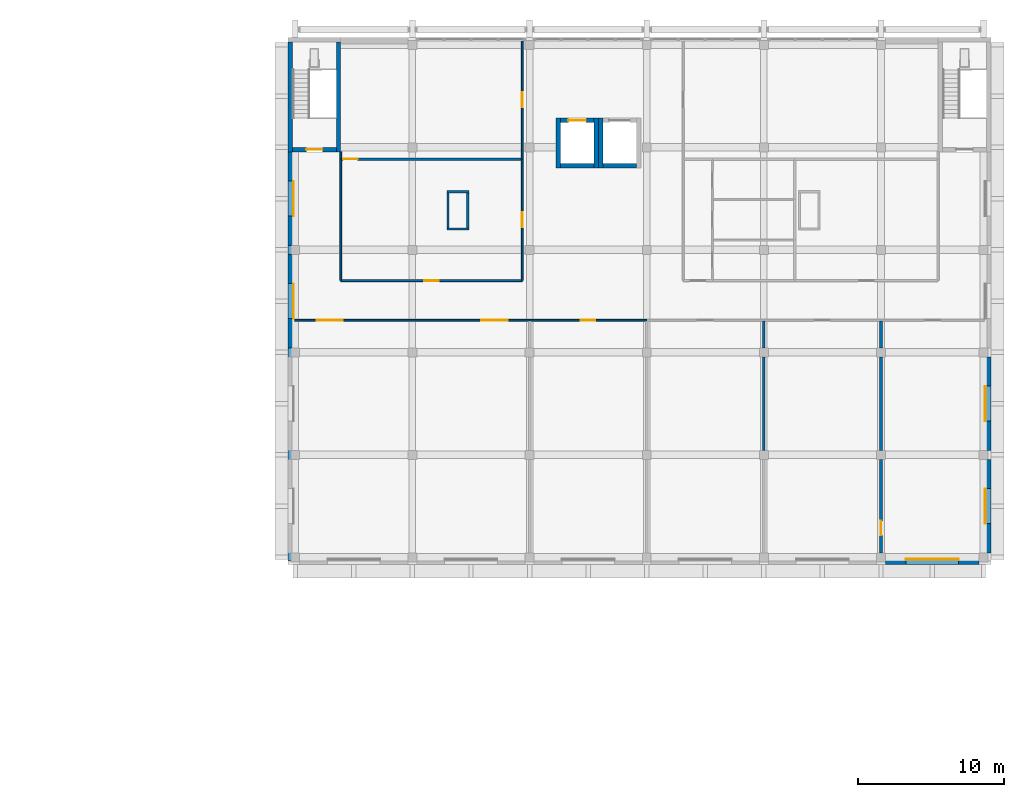
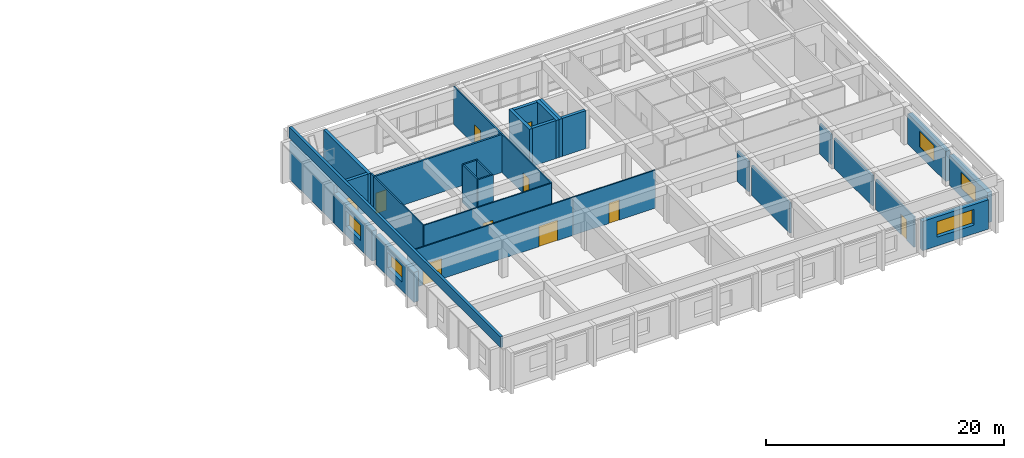
# One storey, part 17 of 21: 32 walls, 10 doors, 5 windows, 15 openings.
"""IFC4 building model written with IfcOpenShell, lengths in metres."""

from ifc_helpers import new_model, si_unit, direction, frame, frame_2d, origin, place, context, subcontext, project, spatial, rectangle, extrude, material, layer, layer_set, type_object, element, fill, save


model = new_model("IFC4")

# Units and contexts
model_context = context("Model", 3, precision=1e-05, world=origin(), true_north=direction((0.0, 1.0)))
body_context = subcontext(model_context, "Body", "Model", "MODEL_VIEW")
ifc_project = project(units=[si_unit("LENGTHUNIT", "METRE"), si_unit("AREAUNIT", "SQUARE_METRE"), si_unit("VOLUMEUNIT", "CUBIC_METRE"), si_unit("PLANEANGLEUNIT", "RADIAN"), si_unit("MASSUNIT", "GRAM", prefix="KILO")], contexts=[model_context])

# Site, building, storey
site_placement = place(None, origin())
site = spatial("IfcSite", under=ifc_project, at=site_placement, CompositionType="ELEMENT")
building_placement = place(site_placement, origin())
building = spatial("IfcBuilding", under=site, at=building_placement, Name="Elmora Arch Market Hall", CompositionType="ELEMENT")
storey_placement = place(building_placement, frame((0.0, 0.0, 14.39990234375)))
storey = spatial("IfcBuildingStorey", under=building, at=storey_placement, Name="L03", CompositionType="ELEMENT", Elevation=14.39990234375)

# Walls
ifc_material_1 = material(Name="Blockwork", Category="masonry")
ifc_layer_1 = layer(ifc_material_1, 0.14990234375)
ifc_layer_set_1 = layer_set([ifc_layer_1], Name="Blockwork")
wall_type_1 = type_object("IfcWallType", Name="Blockwork partition 150 EI 120", PredefinedType="PARTITIONING", material=ifc_layer_set_1)
wall_1_placement = place(storey_placement, frame((96.85009765625, 152.925048828125, 0.0), z_axis=(0.0, 0.0, 1.0), x_axis=(1.0, 0.0, 0.0)))
element("IfcWall", 1, at=wall_1_placement, inside=storey, type_object=wall_type_1, Name="Riser wall L03 01", PredefinedType="PARTITIONING", context=body_context, shape_type="SweptSolid", body=[
    extrude(rectangle(XDim=1.5, YDim=0.14990234375, at=frame_2d((0.75, 0.0))), origin(), (0.0, 0.0, 1.0), 3.900146484375),
])
wall_2_placement = place(storey_placement, frame((96.925048828125, 153.0, 0.0), z_axis=(0.0, 0.0, 1.0), x_axis=(0.0, 1.0, 0.0)))
element("IfcWall", 2, at=wall_2_placement, inside=storey, type_object=wall_type_1, Name="Riser wall L03 02", PredefinedType="PARTITIONING", context=body_context, shape_type="SweptSolid", body=[
    extrude(rectangle(XDim=2.39990234375, YDim=0.14990234375, at=frame_2d((1.199951171875, 0.0))), origin(), (0.0, 0.0, 1.0), 3.900146484375),
])
wall_3_placement = place(storey_placement, frame((96.85009765625, 155.47509765625, 0.0), z_axis=(0.0, 0.0, 1.0), x_axis=(1.0, 0.0, 0.0)))
element("IfcWall", 3, at=wall_3_placement, inside=storey, type_object=wall_type_1, Name="Riser wall L03 03", PredefinedType="PARTITIONING", context=body_context, shape_type="SweptSolid", body=[
    extrude(rectangle(XDim=1.5, YDim=0.14990234375, at=frame_2d((0.75, 0.0))), origin(), (0.0, 0.0, 1.0), 3.900146484375),
])
wall_4_placement = place(storey_placement, frame((98.27490234375, 153.0, 0.0), z_axis=(0.0, 0.0, 1.0), x_axis=(0.0, 1.0, 0.0)))
element("IfcWall", 4, at=wall_4_placement, inside=storey, type_object=wall_type_1, Name="Riser wall L03 04", PredefinedType="PARTITIONING", context=body_context, shape_type="SweptSolid", body=[
    extrude(rectangle(XDim=2.39990234375, YDim=0.14990234375, at=frame_2d((1.199951171875, 0.0))), origin(), (0.0, 0.0, 1.0), 3.900146484375),
])
ifc_material_2 = material(Name="Concrete C40/50", Category="concrete")
ifc_layer_2 = layer(ifc_material_2, 0.300048828125)
ifc_layer_set_2 = layer_set([ifc_layer_2], Name="Concrete C40/50")
wall_type_2 = type_object("IfcWallType", Name="Board-marked concrete wall 300", PredefinedType="SOLIDWALL", material=ifc_layer_set_2)
wall_5_placement = place(storey_placement, frame((86.14990234375, 158.199951171875, 0.0), z_axis=(0.0, 0.0, 1.0), x_axis=(0.0, 1.0, 0.0)))
element("IfcWall", 5, at=wall_5_placement, inside=storey, type_object=wall_type_2, Name="School stair wall W L03 1", PredefinedType="SOLIDWALL", context=body_context, shape_type="SweptSolid", body=[
    extrude(rectangle(XDim=7.5, YDim=0.300048828125, at=frame_2d((3.75, 0.0))), origin(), (0.0, 0.0, 1.0), 3.900146484375),
])

# Wall, opening, window
ifc_material_3 = material(Name="Concrete C40/50", Category="concrete")
ifc_layer_3 = layer(ifc_material_3, 0.449951171875)
ifc_layer_set_3 = layer_set([ifc_layer_3], Name="Concrete C40/50")
wall_type_3 = type_object("IfcWallType", Name="Board-marked concrete wall 450", PredefinedType="SOLIDWALL", material=ifc_layer_set_3)
wall_6_placement = place(storey_placement, frame((133.199951171875, 130.22509765625, 0.0), z_axis=(0.0, 0.0, 1.0), x_axis=(-1.0, 0.0, 0.0)))
wall_6 = element("IfcWall", 6, at=wall_6_placement, inside=storey, type_object=wall_type_3, Name="School facade wall S L03 6", PredefinedType="SOLIDWALL", context=body_context, shape_type="SweptSolid", body=[
    extrude(rectangle(XDim=6.39990234375, YDim=0.449951171875, at=frame_2d((3.199951171875, 0.0))), origin(), (0.0, 0.0, 1.0), 3.0),
])
opening_1_placement = place(wall_6_placement, frame((1.39990234375, 0.0, 0.89990234375)))
opening_1 = element("IfcOpeningElement", 7, at=opening_1_placement, cuts=wall_6, Name="Opening WB1", PredefinedType="OPENING", context=body_context, shape_type="SweptSolid", body=[
    extrude(rectangle(XDim=3.60009765625, YDim=1.60009765625, at=frame_2d((1.800048828125, 0.800048828125))), frame((0.0, 0.23486328125, 0.0), z_axis=(0.0, -1.0, 0.0), x_axis=(1.0, 0.0, 0.0)), (0.0, 0.0, 1.0), 0.469970703125),
])
ifc_material_4 = material(Name="Aluminium", Category="aluminium")
window_type_1 = type_object("IfcWindowType", Name="School band window 3600x1600", PartitioningType="SINGLE_PANEL", PredefinedType="WINDOW", material=ifc_material_4)
window_1_placement = place(opening_1_placement, origin())
window_1 = element("IfcWindow", 8, at=window_1_placement, inside=storey, type_object=window_type_1, Name="Window WB1 L03 S120", OverallHeight=1.60009765625, OverallWidth=3.60009765625, PartitioningType="SINGLE_PANEL", PredefinedType="WINDOW", context=body_context, shape_type="SweptSolid", body=[
    extrude(rectangle(XDim=3.60009765625, YDim=1.60009765625, at=frame_2d((1.800048828125, 0.800048828125))), frame((0.0, -0.125, 0.0), z_axis=(0.0, -1.0, 0.0), x_axis=(1.0, 0.0, 0.0)), (0.0, 0.0, 1.0), 0.06005859375),
])
fill(opening_1, window_1)

wall_7_placement = place(storey_placement, frame((86.22509765625, 144.800048828125, 0.0), z_axis=(0.0, 0.0, 1.0), x_axis=(0.0, 1.0, 0.0)))
wall_7 = element("IfcWall", 9, at=wall_7_placement, inside=storey, type_object=wall_type_3, Name="School facade wall W L03 4", PredefinedType="SOLIDWALL", context=body_context, shape_type="SweptSolid", body=[
    extrude(rectangle(XDim=6.39990234375, YDim=0.449951171875, at=frame_2d((3.199951171875, 0.0))), origin(), (0.0, 0.0, 1.0), 3.10009765625),
])
opening_2_placement = place(wall_7_placement, frame((2.0, 0.0, 0.89990234375)))
opening_2 = element("IfcOpeningElement", 10, at=opening_2_placement, cuts=wall_7, Name="Opening WB2", PredefinedType="OPENING", context=body_context, shape_type="SweptSolid", body=[
    extrude(rectangle(XDim=2.39990234375, YDim=1.60009765625, at=frame_2d((1.199951171875, 0.800048828125))), frame((0.0, 0.23486328125, 0.0), z_axis=(0.0, -1.0, 0.0), x_axis=(1.0, 0.0, 0.0)), (0.0, 0.0, 1.0), 0.469970703125),
])
ifc_material_5 = material(Name="Aluminium", Category="aluminium")
window_type_2 = type_object("IfcWindowType", Name="School end band window 2400x1600", PartitioningType="SINGLE_PANEL", PredefinedType="WINDOW", material=ifc_material_5)
window_2_placement = place(opening_2_placement, origin())
window_2 = element("IfcWindow", 11, at=window_2_placement, inside=storey, type_object=window_type_2, Name="Window WB2 L03 W123", OverallHeight=1.60009765625, OverallWidth=2.39990234375, PartitioningType="SINGLE_PANEL", PredefinedType="WINDOW", context=body_context, shape_type="SweptSolid", body=[
    extrude(rectangle(XDim=2.39990234375, YDim=1.60009765625, at=frame_2d((1.199951171875, 0.800048828125))), frame((0.0, -0.125, 0.0), z_axis=(0.0, -1.0, 0.0), x_axis=(1.0, 0.0, 0.0)), (0.0, 0.0, 1.0), 0.06005859375),
])
fill(opening_2, window_2)

wall_8_placement = place(storey_placement, frame((86.22509765625, 151.800048828125, 0.0), z_axis=(0.0, 0.0, 1.0), x_axis=(0.0, 1.0, 0.0)))
wall_8 = element("IfcWall", 12, at=wall_8_placement, inside=storey, type_object=wall_type_3, Name="School facade wall W L03 5", PredefinedType="SOLIDWALL", context=body_context, shape_type="SweptSolid", body=[
    extrude(rectangle(XDim=6.39990234375, YDim=0.449951171875, at=frame_2d((3.199951171875, 0.0))), origin(), (0.0, 0.0, 1.0), 3.10009765625),
])
opening_3_placement = place(wall_8_placement, frame((2.0, 0.0, 0.89990234375)))
opening_3 = element("IfcOpeningElement", 13, at=opening_3_placement, cuts=wall_8, Name="Opening WB2", PredefinedType="OPENING", context=body_context, shape_type="SweptSolid", body=[
    extrude(rectangle(XDim=2.39990234375, YDim=1.60009765625, at=frame_2d((1.199951171875, 0.800048828125))), frame((0.0, 0.23486328125, 0.0), z_axis=(0.0, -1.0, 0.0), x_axis=(1.0, 0.0, 0.0)), (0.0, 0.0, 1.0), 0.469970703125),
])
window_3_placement = place(opening_3_placement, origin())
window_3 = element("IfcWindow", 14, at=window_3_placement, inside=storey, type_object=window_type_2, Name="Window WB2 L03 W124", OverallHeight=1.60009765625, OverallWidth=2.39990234375, PartitioningType="SINGLE_PANEL", PredefinedType="WINDOW", context=body_context, shape_type="SweptSolid", body=[
    extrude(rectangle(XDim=2.39990234375, YDim=1.60009765625, at=frame_2d((1.199951171875, 0.800048828125))), frame((0.0, -0.125, 0.0), z_axis=(0.0, -1.0, 0.0), x_axis=(1.0, 0.0, 0.0)), (0.0, 0.0, 1.0), 0.06005859375),
])
fill(opening_3, window_3)

wall_9_placement = place(storey_placement, frame((133.77490234375, 137.199951171875, 0.0), z_axis=(0.0, 0.0, 1.0), x_axis=(0.0, -1.0, 0.0)))
wall_9 = element("IfcWall", 15, at=wall_9_placement, inside=storey, type_object=wall_type_3, Name="School facade wall E L03 2", PredefinedType="SOLIDWALL", context=body_context, shape_type="SweptSolid", body=[
    extrude(rectangle(XDim=6.39990234375, YDim=0.449951171875, at=frame_2d((3.199951171875, 0.0))), origin(), (0.0, 0.0, 1.0), 3.10009765625),
])
opening_4_placement = place(wall_9_placement, frame((2.0, 0.0, 0.89990234375)))
opening_4 = element("IfcOpeningElement", 16, at=opening_4_placement, cuts=wall_9, Name="Opening WB2", PredefinedType="OPENING", context=body_context, shape_type="SweptSolid", body=[
    extrude(rectangle(XDim=2.39990234375, YDim=1.60009765625, at=frame_2d((1.199951171875, 0.800048828125))), frame((0.0, 0.23486328125, 0.0), z_axis=(0.0, -1.0, 0.0), x_axis=(1.0, 0.0, 0.0)), (0.0, 0.0, 1.0), 0.469970703125),
])
window_4_placement = place(opening_4_placement, origin())
window_4 = element("IfcWindow", 17, at=window_4_placement, inside=storey, type_object=window_type_2, Name="Window WB2 L03 E125", OverallHeight=1.60009765625, OverallWidth=2.39990234375, PartitioningType="SINGLE_PANEL", PredefinedType="WINDOW", context=body_context, shape_type="SweptSolid", body=[
    extrude(rectangle(XDim=2.39990234375, YDim=1.60009765625, at=frame_2d((1.199951171875, 0.800048828125))), frame((0.0, -0.125, 0.0), z_axis=(0.0, -1.0, 0.0), x_axis=(1.0, 0.0, 0.0)), (0.0, 0.0, 1.0), 0.06005859375),
])
fill(opening_4, window_4)

wall_10_placement = place(storey_placement, frame((133.77490234375, 144.199951171875, 0.0), z_axis=(0.0, 0.0, 1.0), x_axis=(0.0, -1.0, 0.0)))
wall_10 = element("IfcWall", 18, at=wall_10_placement, inside=storey, type_object=wall_type_3, Name="School facade wall E L03 3", PredefinedType="SOLIDWALL", context=body_context, shape_type="SweptSolid", body=[
    extrude(rectangle(XDim=6.39990234375, YDim=0.449951171875, at=frame_2d((3.199951171875, 0.0))), origin(), (0.0, 0.0, 1.0), 3.10009765625),
])
opening_5_placement = place(wall_10_placement, frame((2.0, 0.0, 0.89990234375)))
opening_5 = element("IfcOpeningElement", 19, at=opening_5_placement, cuts=wall_10, Name="Opening WB2", PredefinedType="OPENING", context=body_context, shape_type="SweptSolid", body=[
    extrude(rectangle(XDim=2.39990234375, YDim=1.60009765625, at=frame_2d((1.199951171875, 0.800048828125))), frame((0.0, 0.23486328125, 0.0), z_axis=(0.0, -1.0, 0.0), x_axis=(1.0, 0.0, 0.0)), (0.0, 0.0, 1.0), 0.469970703125),
])
window_5_placement = place(opening_5_placement, origin())
window_5 = element("IfcWindow", 20, at=window_5_placement, inside=storey, type_object=window_type_2, Name="Window WB2 L03 E126", OverallHeight=1.60009765625, OverallWidth=2.39990234375, PartitioningType="SINGLE_PANEL", PredefinedType="WINDOW", context=body_context, shape_type="SweptSolid", body=[
    extrude(rectangle(XDim=2.39990234375, YDim=1.60009765625, at=frame_2d((1.199951171875, 0.800048828125))), frame((0.0, -0.125, 0.0), z_axis=(0.0, -1.0, 0.0), x_axis=(1.0, 0.0, 0.0)), (0.0, 0.0, 1.0), 0.06005859375),
])
fill(opening_5, window_5)

# Walls
ifc_material_6 = material(Name="Concrete C40/50", Category="concrete")
ifc_layer_4 = layer(ifc_material_6, 0.25)
ifc_layer_set_4 = layer_set([ifc_layer_4], Name="Concrete C40/50")
wall_type_4 = type_object("IfcWallType", Name="Concrete parapet 250", PredefinedType="PARAPET", material=ifc_layer_set_4)
wall_11_placement = place(storey_placement, frame((86.125, 130.25, 4.2001953125), z_axis=(0.0, 0.0, 1.0), x_axis=(0.0, 1.0, 0.0)))
element("IfcWall", 21, at=wall_11_placement, inside=storey, type_object=wall_type_4, Name="Planted roof parapet west school", PredefinedType="PARAPET", context=body_context, shape_type="SweptSolid", body=[
    extrude(rectangle(XDim=35.5, YDim=0.25, at=frame_2d((17.75, 0.0))), origin(), (0.0, 0.0, 1.0), 1.099853515625),
])
ifc_material_7 = material(Name="Concrete C40/50", Category="concrete")
ifc_layer_5 = layer(ifc_material_7, 0.300048828125)
ifc_layer_set_5 = layer_set([ifc_layer_5], Name="Concrete C40/50")
wall_type_5 = type_object("IfcWallType", Name="Lift shaft wall 300", PredefinedType="SHEAR", material=ifc_layer_set_5)
for number, where, z_axis, x_axis, name in (
    (22, (104.449951171875, 157.10009765625, 0.0), (0.0, 0.0, 1.0), (0.0, 1.0, 0.0), "Lift shaft wall SL1 W L03"),
    (23, (107.050048828125, 157.10009765625, 0.0), (0.0, 0.0, 1.0), (0.0, 1.0, 0.0), "Lift shaft wall SL1 E L03"),
):
    element("IfcWall", number, at=place(storey_placement, frame(where, z_axis=z_axis, x_axis=x_axis)), inside=storey, type_object=wall_type_5, Name=name, PredefinedType="SHEAR", context=body_context, shape_type="SweptSolid", body=[
        extrude(rectangle(XDim=3.39990234375, YDim=0.300048828125, at=frame_2d((1.699951171875, 0.0))), origin(), (0.0, 0.0, 1.0), 3.900146484375),
    ])
wall_12_placement = place(storey_placement, frame((104.60009765625, 157.25, 0.0), z_axis=(0.0, 0.0, 1.0), x_axis=(1.0, 0.0, 0.0)))
element("IfcWall", 24, at=wall_12_placement, inside=storey, type_object=wall_type_5, Name="Lift shaft wall SL1 S L03", PredefinedType="SHEAR", context=body_context, shape_type="SweptSolid", body=[
    extrude(rectangle(XDim=2.2998046875, YDim=0.300048828125, at=frame_2d((1.14990234375, 0.0))), origin(), (0.0, 0.0, 1.0), 3.900146484375),
])

# Wall, opening, door
wall_13_placement = place(storey_placement, frame((104.60009765625, 160.35009765625, 0.0), z_axis=(0.0, 0.0, 1.0), x_axis=(1.0, 0.0, 0.0)))
wall_13 = element("IfcWall", 25, at=wall_13_placement, inside=storey, type_object=wall_type_5, Name="Lift shaft wall SL1 N L03", PredefinedType="SHEAR", context=body_context, shape_type="SweptSolid", body=[
    extrude(rectangle(XDim=2.2998046875, YDim=0.300048828125, at=frame_2d((1.14990234375, 0.0))), origin(), (0.0, 0.0, 1.0), 3.900146484375),
])
opening_6_placement = place(wall_13_placement, frame((0.550048828125, 0.0, 0.0)))
opening_6 = element("IfcOpeningElement", 26, at=opening_6_placement, cuts=wall_13, Name="Opening LD-SL1-L03", PredefinedType="OPENING", context=body_context, shape_type="SweptSolid", body=[
    extrude(rectangle(XDim=1.199951171875, YDim=2.10009765625, at=frame_2d((0.60009765625, 1.050048828125))), frame((0.0, 0.159912109375, 0.0), z_axis=(0.0, -1.0, 0.0), x_axis=(1.0, 0.0, 0.0)), (0.0, 0.0, 1.0), 0.320068359375),
])
ifc_material_8 = material(Name="Stainless steel ASTM A240 Type 304", Category="steel")
door_type_1 = type_object("IfcDoorType", Name="Lift landing door 1200 x 2100 FD90", OperationType="SLIDING_TO_LEFT", PredefinedType="DOOR", material=ifc_material_8)
door_1_placement = place(opening_6_placement, origin())
door_1 = element("IfcDoor", 27, at=door_1_placement, inside=storey, type_object=door_type_1, Name="Landing door SL1 L03", OperationType="SLIDING_TO_LEFT", OverallHeight=2.10009765625, OverallWidth=1.199951171875, PredefinedType="DOOR", context=body_context, shape_type="SweptSolid", body=[
    extrude(rectangle(XDim=1.199951171875, YDim=2.10009765625, at=frame_2d((0.60009765625, 1.050048828125))), frame((0.0, 0.02490234375, 0.0), z_axis=(0.0, -1.0, 0.0), x_axis=(1.0, 0.0, 0.0)), (0.0, 0.0, 1.0), 0.050048828125),
])
fill(opening_6, door_1)

# Walls
wall_14_placement = place(storey_placement, frame((107.35009765625, 157.10009765625, 0.0), z_axis=(0.0, 0.0, 1.0), x_axis=(0.0, 1.0, 0.0)))
element("IfcWall", 28, at=wall_14_placement, inside=storey, type_object=wall_type_5, Name="Lift shaft wall SL2 W L03", PredefinedType="SHEAR", context=body_context, shape_type="SweptSolid", body=[
    extrude(rectangle(XDim=3.39990234375, YDim=0.300048828125, at=frame_2d((1.699951171875, 0.0))), origin(), (0.0, 0.0, 1.0), 3.900146484375),
])
wall_15_placement = place(storey_placement, frame((107.5, 157.25, 0.0), z_axis=(0.0, 0.0, 1.0), x_axis=(1.0, 0.0, 0.0)))
element("IfcWall", 29, at=wall_15_placement, inside=storey, type_object=wall_type_5, Name="Lift shaft wall SL2 S L03", PredefinedType="SHEAR", context=body_context, shape_type="SweptSolid", body=[
    extrude(rectangle(XDim=2.300048828125, YDim=0.300048828125, at=frame_2d((1.14990234375, 0.0))), origin(), (0.0, 0.0, 1.0), 3.900146484375),
])

# Wall, openings, doors
ifc_material_9 = material(Name="Gypsum board on metal studs")
ifc_layer_6 = layer(ifc_material_9, 0.125)
ifc_layer_set_6 = layer_set([ifc_layer_6], Name="Gypsum board on metal studs")
wall_type_6 = type_object("IfcWallType", Name="Partition 125 EI 60", PredefinedType="PARTITIONING", material=ifc_layer_set_6)
wall_16_placement = place(storey_placement, frame((86.449951171875, 146.699951171875, 0.0), z_axis=(0.0, 0.0, 1.0), x_axis=(1.0, 0.0, 0.0)))
wall_16 = element("IfcWall", 30, at=wall_16_placement, inside=storey, type_object=wall_type_6, Name="Partition PT-L03-001", PredefinedType="PARTITIONING", context=body_context, shape_type="SweptSolid", body=[
    extrude(rectangle(XDim=16.050048828125, YDim=0.125, at=frame_2d((8.02490234375, 0.0))), origin(), (0.0, 0.0, 1.0), 3.900146484375),
])
opening_7_placement = place(wall_16_placement, frame((1.5, 0.0, 0.0)))
opening_7 = element("IfcOpeningElement", 31, at=opening_7_placement, cuts=wall_16, Name="Opening D-L03-002", PredefinedType="OPENING", context=body_context, shape_type="SweptSolid", body=[
    extrude(rectangle(XDim=1.800048828125, YDim=2.10009765625, at=frame_2d((0.89990234375, 1.050048828125))), frame((0.0, 0.072509765625, 0.0), z_axis=(0.0, -1.0, 0.0), x_axis=(1.0, 0.0, 0.0)), (0.0, 0.0, 1.0), 0.14501953125),
])
opening_8_placement = place(wall_16_placement, frame((12.75, 0.0, 0.0)))
opening_8 = element("IfcOpeningElement", 32, at=opening_8_placement, cuts=wall_16, Name="Opening D-L03-003", PredefinedType="OPENING", context=body_context, shape_type="SweptSolid", body=[
    extrude(rectangle(XDim=1.800048828125, YDim=2.10009765625, at=frame_2d((0.89990234375, 1.050048828125))), frame((0.0, 0.072509765625, 0.0), z_axis=(0.0, -1.0, 0.0), x_axis=(1.0, 0.0, 0.0)), (0.0, 0.0, 1.0), 0.14501953125),
])
ifc_material_10 = material(Name="Steel ASTM A653 galvanised", Category="steel")
door_type_2 = type_object("IfcDoorType", Name="Double door 1800 x 2100 FD20", OperationType="DOUBLE_DOOR_SINGLE_SWING", PredefinedType="DOOR", material=ifc_material_10)
door_2_placement = place(opening_7_placement, frame((1.800048828125, 0.0, 0.0), z_axis=(0.0, 0.0, 1.0), x_axis=(-1.0, 0.0, 0.0)))
door_2 = element("IfcDoor", 33, at=door_2_placement, inside=storey, type_object=door_type_2, Name="D-L03-002", OperationType="DOUBLE_DOOR_SINGLE_SWING", OverallHeight=2.10009765625, OverallWidth=1.800048828125, PredefinedType="DOOR", context=body_context, shape_type="SweptSolid", body=[
    extrude(rectangle(XDim=1.800048828125, YDim=2.10009765625, at=frame_2d((0.89990234375, 1.050048828125))), frame((0.0, 0.02490234375, 0.0), z_axis=(0.0, -1.0, 0.0), x_axis=(1.0, 0.0, 0.0)), (0.0, 0.0, 1.0), 0.050048828125),
])
fill(opening_7, door_2)
door_3_placement = place(opening_8_placement, frame((1.800048828125, 0.0, 0.0), z_axis=(0.0, 0.0, 1.0), x_axis=(-1.0, 0.0, 0.0)))
door_3 = element("IfcDoor", 34, at=door_3_placement, inside=storey, type_object=door_type_2, Name="D-L03-003", OperationType="DOUBLE_DOOR_SINGLE_SWING", OverallHeight=2.10009765625, OverallWidth=1.800048828125, PredefinedType="DOOR", context=body_context, shape_type="SweptSolid", body=[
    extrude(rectangle(XDim=1.800048828125, YDim=2.10009765625, at=frame_2d((0.89990234375, 1.050048828125))), frame((0.0, 0.02490234375, 0.0), z_axis=(0.0, -1.0, 0.0), x_axis=(1.0, 0.0, 0.0)), (0.0, 0.0, 1.0), 0.050048828125),
])
fill(opening_8, door_3)

# Wall, opening, door
wall_17_placement = place(storey_placement, frame((102.5, 146.699951171875, 0.0), z_axis=(0.0, 0.0, 1.0), x_axis=(1.0, 0.0, 0.0)))
wall_17 = element("IfcWall", 35, at=wall_17_placement, inside=storey, type_object=wall_type_6, Name="Partition PT-L03-002", PredefinedType="PARTITIONING", context=body_context, shape_type="SweptSolid", body=[
    extrude(rectangle(XDim=8.0, YDim=0.125, at=frame_2d((4.0, 0.0))), origin(), (0.0, 0.0, 1.0), 3.900146484375),
])
opening_9_placement = place(wall_17_placement, frame((3.5, 0.0, 0.0)))
opening_9 = element("IfcOpeningElement", 36, at=opening_9_placement, cuts=wall_17, Name="Opening D-L03-004", PredefinedType="OPENING", context=body_context, shape_type="SweptSolid", body=[
    extrude(rectangle(XDim=1.0, YDim=2.10009765625, at=frame_2d((0.5, 1.050048828125))), frame((0.0, 0.072509765625, 0.0), z_axis=(0.0, -1.0, 0.0), x_axis=(1.0, 0.0, 0.0)), (0.0, 0.0, 1.0), 0.14501953125),
])
ifc_material_11 = material(Name="Steel ASTM A653 galvanised", Category="steel")
door_type_3 = type_object("IfcDoorType", Name="Door 1000 x 2100 FD45", OperationType="SINGLE_SWING_LEFT", PredefinedType="DOOR", material=ifc_material_11)
door_4_placement = place(opening_9_placement, frame((1.0, 0.0, 0.0), z_axis=(0.0, 0.0, 1.0), x_axis=(-1.0, 0.0, 0.0)))
door_4 = element("IfcDoor", 37, at=door_4_placement, inside=storey, type_object=door_type_3, Name="D-L03-004", OperationType="SINGLE_SWING_RIGHT", OverallHeight=2.10009765625, OverallWidth=1.0, PredefinedType="DOOR", context=body_context, shape_type="SweptSolid", body=[
    extrude(rectangle(XDim=1.0, YDim=2.10009765625, at=frame_2d((0.5, 1.050048828125))), frame((0.0, 0.02490234375, 0.0), z_axis=(0.0, -1.0, 0.0), x_axis=(1.0, 0.0, 0.0)), (0.0, 0.0, 1.0), 0.050048828125),
])
fill(opening_9, door_4)

wall_18_placement = place(storey_placement, frame((89.610107421875, 149.39990234375, 0.0), z_axis=(0.0, 0.0, 1.0), x_axis=(1.0, 0.0, 0.0)))
wall_18 = element("IfcWall", 38, at=wall_18_placement, inside=storey, type_object=wall_type_6, Name="Partition PT-L03-006", PredefinedType="PARTITIONING", context=body_context, shape_type="SweptSolid", body=[
    extrude(rectangle(XDim=12.3798828125, YDim=0.125, at=frame_2d((6.18994140625, 0.0))), origin(), (0.0, 0.0, 1.0), 3.900146484375),
])
opening_10_placement = place(wall_18_placement, frame((5.699951171875, 0.0, 0.0)))
opening_10 = element("IfcOpeningElement", 39, at=opening_10_placement, cuts=wall_18, Name="Opening D-L03-008", PredefinedType="OPENING", context=body_context, shape_type="SweptSolid", body=[
    extrude(rectangle(XDim=1.0, YDim=2.10009765625, at=frame_2d((0.5, 1.050048828125))), frame((0.0, 0.072509765625, 0.0), z_axis=(0.0, -1.0, 0.0), x_axis=(1.0, 0.0, 0.0)), (0.0, 0.0, 1.0), 0.14501953125),
])
door_5_placement = place(opening_10_placement, origin())
door_5 = element("IfcDoor", 40, at=door_5_placement, inside=storey, type_object=door_type_3, Name="D-L03-008", OperationType="SINGLE_SWING_RIGHT", OverallHeight=2.10009765625, OverallWidth=1.0, PredefinedType="DOOR", context=body_context, shape_type="SweptSolid", body=[
    extrude(rectangle(XDim=1.0, YDim=2.10009765625, at=frame_2d((0.5, 1.050048828125))), frame((0.0, 0.02490234375, 0.0), z_axis=(0.0, -1.0, 0.0), x_axis=(1.0, 0.0, 0.0)), (0.0, 0.0, 1.0), 0.050048828125),
])
fill(opening_10, door_5)

# Walls
wall_19_placement = place(storey_placement, frame((89.60009765625, 149.409912109375, 0.0), z_axis=(0.0, 0.0, 1.0), x_axis=(0.0, 1.0, 0.0)))
element("IfcWall", 41, at=wall_19_placement, inside=storey, type_object=wall_type_6, Name="Partition PT-L03-016", PredefinedType="PARTITIONING", context=body_context, shape_type="SweptSolid", body=[
    extrude(rectangle(XDim=8.2900390625, YDim=0.125, at=frame_2d((4.14501953125, 0.0))), origin(), (0.0, 0.0, 1.0), 3.900146484375),
])
wall_20_placement = place(storey_placement, frame((89.60009765625, 157.699951171875, 0.0), z_axis=(0.0, 0.0, 1.0), x_axis=(0.0, 1.0, 0.0)))
element("IfcWall", 42, at=wall_20_placement, inside=storey, type_object=wall_type_6, Name="Partition PT-L03-017", PredefinedType="PARTITIONING", context=body_context, shape_type="SweptSolid", body=[
    extrude(rectangle(XDim=0.5, YDim=0.125, at=frame_2d((0.25, 0.0))), origin(), (0.0, 0.0, 1.0), 3.900146484375),
])

# Wall, opening, door
wall_21_placement = place(storey_placement, frame((102.0, 149.409912109375, 0.0), z_axis=(0.0, 0.0, 1.0), x_axis=(0.0, 1.0, 0.0)))
wall_21 = element("IfcWall", 43, at=wall_21_placement, inside=storey, type_object=wall_type_6, Name="Partition PT-L03-018", PredefinedType="PARTITIONING", context=body_context, shape_type="SweptSolid", body=[
    extrude(rectangle(XDim=8.2900390625, YDim=0.125, at=frame_2d((4.14501953125, 0.0))), origin(), (0.0, 0.0, 1.0), 3.900146484375),
])
opening_11_placement = place(wall_21_placement, frame((3.64990234375, 0.0, 0.0)))
opening_11 = element("IfcOpeningElement", 44, at=opening_11_placement, cuts=wall_21, Name="Opening D-L03-012", PredefinedType="OPENING", context=body_context, shape_type="SweptSolid", body=[
    extrude(rectangle(XDim=1.0, YDim=2.10009765625, at=frame_2d((0.5, 1.050048828125))), frame((0.0, 0.072509765625, 0.0), z_axis=(0.0, -1.0, 0.0), x_axis=(1.0, 0.0, 0.0)), (0.0, 0.0, 1.0), 0.14501953125),
])
door_6_placement = place(opening_11_placement, origin())
door_6 = element("IfcDoor", 45, at=door_6_placement, inside=storey, type_object=door_type_3, Name="D-L03-012", OperationType="SINGLE_SWING_RIGHT", OverallHeight=2.10009765625, OverallWidth=1.0, PredefinedType="DOOR", context=body_context, shape_type="SweptSolid", body=[
    extrude(rectangle(XDim=1.0, YDim=2.10009765625, at=frame_2d((0.5, 1.050048828125))), frame((0.0, 0.02490234375, 0.0), z_axis=(0.0, -1.0, 0.0), x_axis=(1.0, 0.0, 0.0)), (0.0, 0.0, 1.0), 0.050048828125),
])
fill(opening_11, door_6)

wall_22_placement = place(storey_placement, frame((102.0, 157.699951171875, 0.0), z_axis=(0.0, 0.0, 1.0), x_axis=(0.0, 1.0, 0.0)))
wall_22 = element("IfcWall", 46, at=wall_22_placement, inside=storey, type_object=wall_type_6, Name="Partition PT-L03-019", PredefinedType="PARTITIONING", context=body_context, shape_type="SweptSolid", body=[
    extrude(rectangle(XDim=8.050048828125, YDim=0.125, at=frame_2d((4.02490234375, 0.0))), origin(), (0.0, 0.0, 1.0), 3.900146484375),
])
opening_12_placement = place(wall_22_placement, frame((3.550048828125, 0.0, 0.0)))
opening_12 = element("IfcOpeningElement", 47, at=opening_12_placement, cuts=wall_22, Name="Opening D-L03-016", PredefinedType="OPENING", context=body_context, shape_type="SweptSolid", body=[
    extrude(rectangle(XDim=1.0, YDim=2.10009765625, at=frame_2d((0.5, 1.050048828125))), frame((0.0, 0.072509765625, 0.0), z_axis=(0.0, -1.0, 0.0), x_axis=(1.0, 0.0, 0.0)), (0.0, 0.0, 1.0), 0.14501953125),
])
door_7_placement = place(opening_12_placement, origin())
door_7 = element("IfcDoor", 48, at=door_7_placement, inside=storey, type_object=door_type_3, Name="D-L03-016", OperationType="SINGLE_SWING_LEFT", OverallHeight=2.10009765625, OverallWidth=1.0, PredefinedType="DOOR", context=body_context, shape_type="SweptSolid", body=[
    extrude(rectangle(XDim=1.0, YDim=2.10009765625, at=frame_2d((0.5, 1.050048828125))), frame((0.0, 0.02490234375, 0.0), z_axis=(0.0, -1.0, 0.0), x_axis=(1.0, 0.0, 0.0)), (0.0, 0.0, 1.0), 0.050048828125),
])
fill(opening_12, door_7)

ifc_material_12 = material(Name="Gypsum board on metal studs")
ifc_layer_7 = layer(ifc_material_12, 0.175048828125)
ifc_layer_set_7 = layer_set([ifc_layer_7], Name="Gypsum board on metal studs")
wall_type_7 = type_object("IfcWallType", Name="Partition 175 EI 60", PredefinedType="PARTITIONING", material=ifc_layer_set_7)
wall_23_placement = place(storey_placement, frame((89.66259765625, 157.699951171875, 0.0), z_axis=(0.0, 0.0, 1.0), x_axis=(1.0, 0.0, 0.0)))
wall_23 = element("IfcWall", 49, at=wall_23_placement, inside=storey, type_object=wall_type_7, Name="Partition PT-L03-012", PredefinedType="PARTITIONING", context=body_context, shape_type="SweptSolid", body=[
    extrude(rectangle(XDim=12.27490234375, YDim=0.175048828125, at=frame_2d((6.137451171875, 0.0))), origin(), (0.0, 0.0, 1.0), 3.900146484375),
])
opening_13_placement = place(wall_23_placement, frame((0.10009765625, 0.0, 0.0)))
opening_13 = element("IfcOpeningElement", 50, at=opening_13_placement, cuts=wall_23, Name="Opening D-L03-015", PredefinedType="OPENING", context=body_context, shape_type="SweptSolid", body=[
    extrude(rectangle(XDim=1.0, YDim=2.10009765625, at=frame_2d((0.5, 1.050048828125))), frame((0.0, 0.097412109375, 0.0), z_axis=(0.0, -1.0, 0.0), x_axis=(1.0, 0.0, 0.0)), (0.0, 0.0, 1.0), 0.195068359375),
])
door_8_placement = place(opening_13_placement, frame((1.0, 0.0, 0.0), z_axis=(0.0, 0.0, 1.0), x_axis=(-1.0, 0.0, 0.0)))
door_8 = element("IfcDoor", 51, at=door_8_placement, inside=storey, type_object=door_type_3, Name="D-L03-015", OperationType="SINGLE_SWING_RIGHT", OverallHeight=2.10009765625, OverallWidth=1.0, PredefinedType="DOOR", context=body_context, shape_type="SweptSolid", body=[
    extrude(rectangle(XDim=1.0, YDim=2.10009765625, at=frame_2d((0.5, 1.050048828125))), frame((0.0, 0.02490234375, 0.0), z_axis=(0.0, -1.0, 0.0), x_axis=(1.0, 0.0, 0.0)), (0.0, 0.0, 1.0), 0.050048828125),
])
fill(opening_13, door_8)

# Walls
wall_24_placement = place(storey_placement, frame((118.5, 137.800048828125, 0.0), z_axis=(0.0, 0.0, 1.0), x_axis=(0.0, 1.0, 0.0)))
element("IfcWall", 52, at=wall_24_placement, inside=storey, type_object=wall_type_7, Name="Partition PT-L03-027-32", PredefinedType="PARTITIONING", context=body_context, shape_type="SweptSolid", body=[
    extrude(rectangle(XDim=6.39990234375, YDim=0.175048828125, at=frame_2d((3.199951171875, 0.0))), origin(), (0.0, 0.0, 1.0), 3.10009765625),
])
wall_25_placement = place(storey_placement, frame((118.5, 144.800048828125, 0.0), z_axis=(0.0, 0.0, 1.0), x_axis=(0.0, 1.0, 0.0)))
element("IfcWall", 53, at=wall_25_placement, inside=storey, type_object=wall_type_7, Name="Partition PT-L03-027-33", PredefinedType="PARTITIONING", context=body_context, shape_type="SweptSolid", body=[
    extrude(rectangle(XDim=1.83740234375, YDim=0.175048828125, at=frame_2d((0.918701171875, 0.0))), origin(), (0.0, 0.0, 1.0), 3.10009765625),
])

# Wall, opening, door
wall_26_placement = place(storey_placement, frame((126.5, 130.800048828125, 0.0), z_axis=(0.0, 0.0, 1.0), x_axis=(0.0, 1.0, 0.0)))
wall_26 = element("IfcWall", 54, at=wall_26_placement, inside=storey, type_object=wall_type_7, Name="Partition PT-L03-031-37", PredefinedType="PARTITIONING", context=body_context, shape_type="SweptSolid", body=[
    extrude(rectangle(XDim=6.39990234375, YDim=0.175048828125, at=frame_2d((3.199951171875, 0.0))), origin(), (0.0, 0.0, 1.0), 3.10009765625),
])
opening_14_placement = place(wall_26_placement, frame((1.199951171875, 0.0, 0.0)))
opening_14 = element("IfcOpeningElement", 55, at=opening_14_placement, cuts=wall_26, Name="Opening D-L03-001", PredefinedType="OPENING", context=body_context, shape_type="SweptSolid", body=[
    extrude(rectangle(XDim=1.0, YDim=2.10009765625, at=frame_2d((0.5, 1.050048828125))), frame((0.0, 0.097412109375, 0.0), z_axis=(0.0, -1.0, 0.0), x_axis=(1.0, 0.0, 0.0)), (0.0, 0.0, 1.0), 0.195068359375),
])
door_9_placement = place(opening_14_placement, frame((1.0, 0.0, 0.0), z_axis=(0.0, 0.0, 1.0), x_axis=(-1.0, 0.0, 0.0)))
door_9 = element("IfcDoor", 56, at=door_9_placement, inside=storey, type_object=door_type_3, Name="D-L03-001", OperationType="SINGLE_SWING_RIGHT", OverallHeight=2.10009765625, OverallWidth=1.0, PredefinedType="DOOR", context=body_context, shape_type="SweptSolid", body=[
    extrude(rectangle(XDim=1.0, YDim=2.10009765625, at=frame_2d((0.5, 1.050048828125))), frame((0.0, 0.02490234375, 0.0), z_axis=(0.0, -1.0, 0.0), x_axis=(1.0, 0.0, 0.0)), (0.0, 0.0, 1.0), 0.050048828125),
])
fill(opening_14, door_9)

# Walls
wall_27_placement = place(storey_placement, frame((126.5, 137.800048828125, 0.0), z_axis=(0.0, 0.0, 1.0), x_axis=(0.0, 1.0, 0.0)))
element("IfcWall", 57, at=wall_27_placement, inside=storey, type_object=wall_type_7, Name="Partition PT-L03-031-38", PredefinedType="PARTITIONING", context=body_context, shape_type="SweptSolid", body=[
    extrude(rectangle(XDim=6.39990234375, YDim=0.175048828125, at=frame_2d((3.199951171875, 0.0))), origin(), (0.0, 0.0, 1.0), 3.10009765625),
])
wall_28_placement = place(storey_placement, frame((126.5, 144.800048828125, 0.0), z_axis=(0.0, 0.0, 1.0), x_axis=(0.0, 1.0, 0.0)))
element("IfcWall", 58, at=wall_28_placement, inside=storey, type_object=wall_type_7, Name="Partition PT-L03-031-39", PredefinedType="PARTITIONING", context=body_context, shape_type="SweptSolid", body=[
    extrude(rectangle(XDim=1.83740234375, YDim=0.175048828125, at=frame_2d((0.918701171875, 0.0))), origin(), (0.0, 0.0, 1.0), 3.10009765625),
])
ifc_material_13 = material(Name="Concrete C40/50", Category="concrete")
ifc_layer_8 = layer(ifc_material_13, 0.300048828125)
ifc_layer_set_8 = layer_set([ifc_layer_8], Name="Concrete C40/50")
wall_type_8 = type_object("IfcWallType", Name="Stair wall 300", PredefinedType="SHEAR", material=ifc_layer_set_8)
wall_29_placement = place(storey_placement, frame((89.449951171875, 158.199951171875, 0.0), z_axis=(0.0, 0.0, 1.0), x_axis=(0.0, 1.0, 0.0)))
element("IfcWall", 59, at=wall_29_placement, inside=storey, type_object=wall_type_8, Name="Stair wall ST-SCW E L03", PredefinedType="SHEAR", context=body_context, shape_type="SweptSolid", body=[
    extrude(rectangle(XDim=7.5, YDim=0.300048828125, at=frame_2d((3.75, 0.0))), origin(), (0.0, 0.0, 1.0), 3.900146484375),
])

# Wall, opening, door
wall_30_placement = place(storey_placement, frame((86.300048828125, 158.35009765625, 0.0), z_axis=(0.0, 0.0, 1.0), x_axis=(1.0, 0.0, 0.0)))
wall_30 = element("IfcWall", 60, at=wall_30_placement, inside=storey, type_object=wall_type_8, Name="Stair wall ST-SCW S L03", PredefinedType="SHEAR", context=body_context, shape_type="SweptSolid", body=[
    extrude(rectangle(XDim=3.0, YDim=0.300048828125, at=frame_2d((1.5, 0.0))), origin(), (0.0, 0.0, 1.0), 3.900146484375),
])
opening_15_placement = place(wall_30_placement, frame((0.949951171875, 0.0, 0.0)))
opening_15 = element("IfcOpeningElement", 61, at=opening_15_placement, cuts=wall_30, Name="Opening ST-SCW-L03", PredefinedType="OPENING", context=body_context, shape_type="SweptSolid", body=[
    extrude(rectangle(XDim=1.10009765625, YDim=2.10009765625, at=frame_2d((0.550048828125, 1.050048828125))), frame((0.0, 0.159912109375, 0.0), z_axis=(0.0, -1.0, 0.0), x_axis=(1.0, 0.0, 0.0)), (0.0, 0.0, 1.0), 0.320068359375),
])
ifc_material_14 = material(Name="Steel ASTM A653 galvanised", Category="steel")
door_type_4 = type_object("IfcDoorType", Name="Stair door 1100 x 2100 FD90", OperationType="SINGLE_SWING_LEFT", PredefinedType="DOOR", material=ifc_material_14)
door_10_placement = place(opening_15_placement, origin())
door_10 = element("IfcDoor", 62, at=door_10_placement, inside=storey, type_object=door_type_4, Name="Stair door ST-SCW L03", OperationType="SINGLE_SWING_LEFT", OverallHeight=2.10009765625, OverallWidth=1.10009765625, PredefinedType="DOOR", context=body_context, shape_type="SweptSolid", body=[
    extrude(rectangle(XDim=1.10009765625, YDim=2.10009765625, at=frame_2d((0.550048828125, 1.050048828125))), frame((0.0, 0.02490234375, 0.0), z_axis=(0.0, -1.0, 0.0), x_axis=(1.0, 0.0, 0.0)), (0.0, 0.0, 1.0), 0.050048828125),
])
fill(opening_15, door_10)

save(model, "model.ifc")
